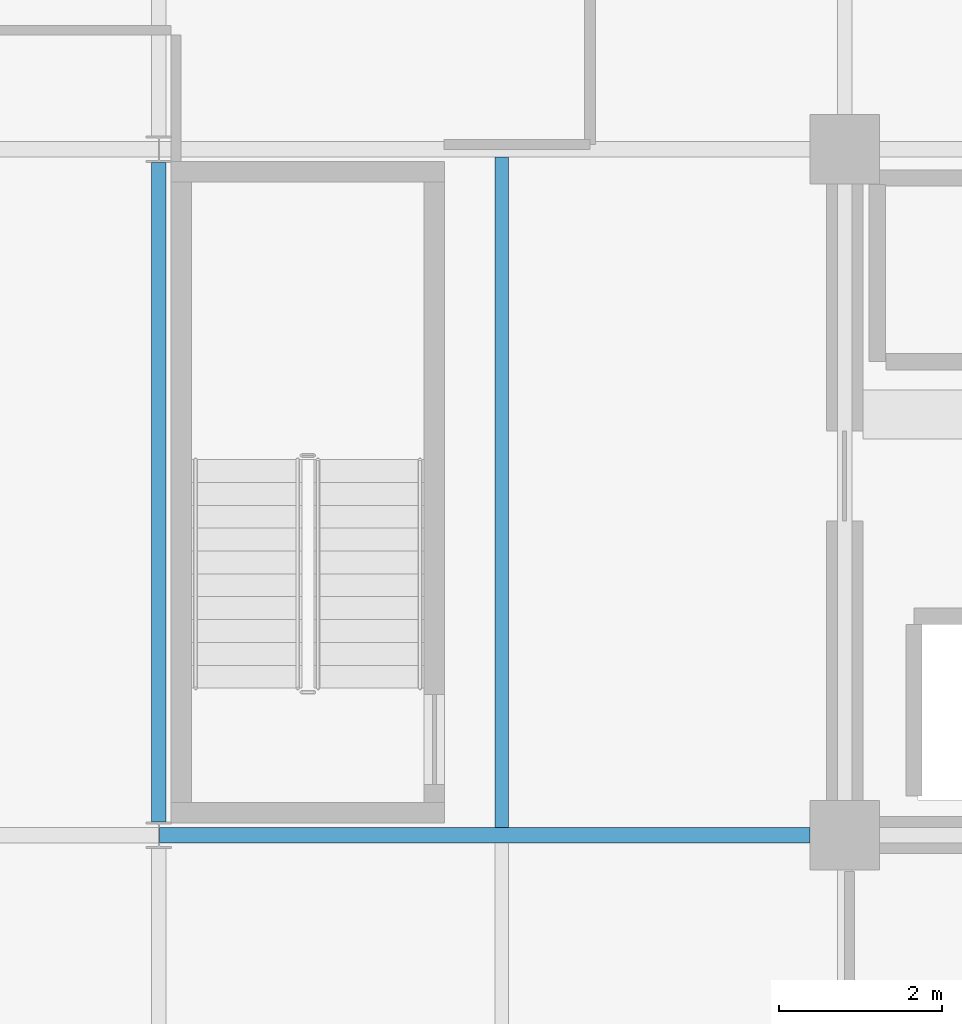
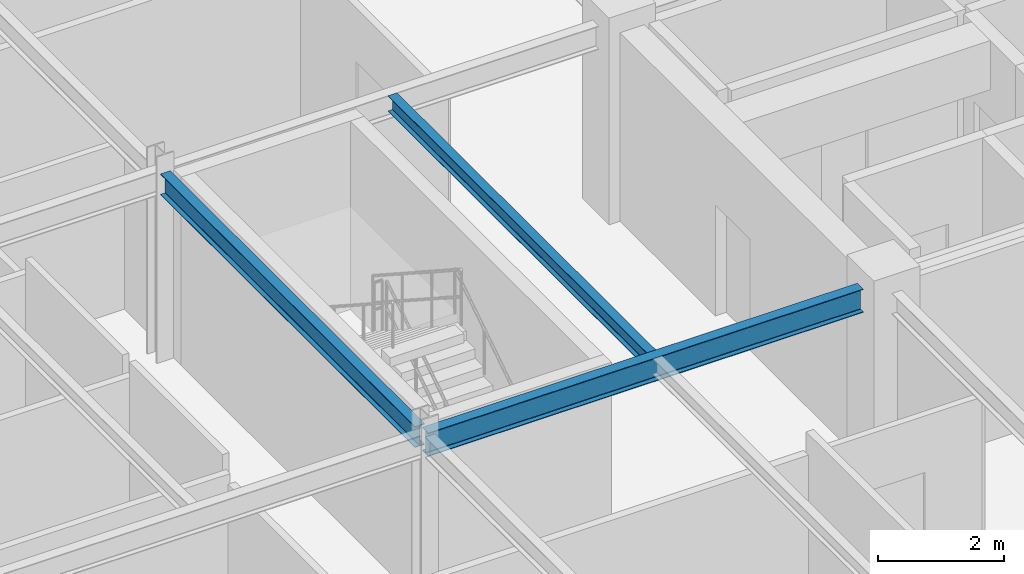
# One storey, part 6 of 25: 3 beams.
"""IFC4 building model written with IfcOpenShell, lengths in metres."""

from ifc_helpers import new_model, si_unit, direction, frame, origin, origin_2d, place, context, subcontext, project, spatial, i_section, extrude, material, material_profile, profile_set, type_object, element, save


model = new_model("IFC4")

# Units and contexts
model_context = context("Model", 3, precision=1e-05, world=origin(), true_north=direction((0.0, 1.0)))
body_context = subcontext(model_context, "Body", "Model", "MODEL_VIEW")
ifc_project = project(units=[si_unit("LENGTHUNIT", "METRE"), si_unit("AREAUNIT", "SQUARE_METRE"), si_unit("VOLUMEUNIT", "CUBIC_METRE"), si_unit("PLANEANGLEUNIT", "RADIAN"), si_unit("MASSUNIT", "GRAM", prefix="KILO")], contexts=[model_context])

# Site, building, storey
site_placement = place(None, origin())
site = spatial("IfcSite", under=ifc_project, at=site_placement, CompositionType="ELEMENT")
building_placement = place(site_placement, origin())
building = spatial("IfcBuilding", under=site, at=building_placement, Name="Nerrivon Quay Data Exchange", CompositionType="ELEMENT")
storey_placement = place(building_placement, frame((0.0, 0.0, 318.199951171875)))
storey = spatial("IfcBuildingStorey", under=building, at=storey_placement, Name="L76", CompositionType="ELEMENT", Elevation=318.199951171875)

# Beams
ifc_material = material(Name="Steel Grade 350", Category="steel")
ifc_material_profile_1 = material_profile(ifc_material, i_section(OverallWidth=0.18994140625, OverallDepth=0.4541015625, WebThickness=0.008544921875, FlangeThickness=0.0126953125, FilletRadius=0.011474609375, at=origin_2d()), Name="460UB67.1")
ifc_profile_set_1 = profile_set([ifc_material_profile_1], Name="Steel Grade 350")
beam_type_1 = type_object("IfcBeamType", Name="BM-G6-460UB67", PredefinedType="BEAM", material=ifc_profile_set_1)
beam_1_placement = place(storey_placement, frame((8.40771484375, 8.39990234375, 3.423095703125), z_axis=(1.0, 0.0, 0.0), x_axis=(0.0, 1.0, 0.0)))
element("IfcBeam", 1, at=beam_1_placement, inside=storey, type_object=beam_type_1, Name="L76 EW Girder Y=8.4 (8.4..16.8)", PredefinedType="BEAM", context=body_context, shape_type="SweptSolid", body=[
    extrude(i_section(OverallWidth=0.18994140625, OverallDepth=0.4541015625, WebThickness=0.008544921875, FlangeThickness=0.0126953125, FilletRadius=0.011474609375, at=origin_2d()), origin(), (0.0, 0.0, 1.0), 7.96728515625),
])
ifc_material_profile_2 = material_profile(ifc_material, i_section(OverallWidth=0.177978515625, OverallDepth=0.406005859375, WebThickness=0.0078125, FlangeThickness=0.0126953125, FilletRadius=0.011474609375, at=origin_2d()), Name="410UB59.7")
ifc_profile_set_2 = profile_set([ifc_material_profile_2], Name="Steel Grade 350")
beam_type_2 = type_object("IfcBeamType", Name="BM-J1-410UB60", PredefinedType="JOIST", material=ifc_profile_set_2)
beam_2_placement = place(storey_placement, frame((8.39990234375, 8.5634765625, 3.447021484375), z_axis=(0.0, 1.0, 0.0), x_axis=(-1.0, 0.0, 0.0)))
element("IfcBeam", 2, at=beam_2_placement, inside=storey, type_object=beam_type_2, Name="L76 NS Girder X=8.4 (8.4..16.8)", PredefinedType="JOIST", context=body_context, shape_type="SweptSolid", body=[
    extrude(i_section(OverallWidth=0.177978515625, OverallDepth=0.406005859375, WebThickness=0.0078125, FlangeThickness=0.0126953125, FilletRadius=0.011474609375, at=origin_2d()), origin(), (0.0, 0.0, 1.0), 8.072998046875),
])
ifc_material_profile_3 = material_profile(ifc_material, i_section(OverallWidth=0.1650390625, OverallDepth=0.303955078125, WebThickness=0.006103515625, FlangeThickness=0.01025390625, FilletRadius=0.011474609375, at=origin_2d()), Name="310UB40.4")
ifc_profile_set_3 = profile_set([ifc_material_profile_3], Name="Steel Grade 350")
beam_type_3 = type_object("IfcBeamType", Name="BM-J6-310UB40", PredefinedType="JOIST", material=ifc_profile_set_3)
beam_3_placement = place(storey_placement, frame((12.60009765625, 8.4951171875, 3.498046875), z_axis=(0.0, 1.0, 0.0), x_axis=(-1.0, 0.0, 0.0)))
element("IfcBeam", 3, at=beam_3_placement, inside=storey, type_object=beam_type_3, Name="L76 Secondary Joist X=12.6 (8.4..16.8)", PredefinedType="JOIST", context=body_context, shape_type="SweptSolid", body=[
    extrude(i_section(OverallWidth=0.1650390625, OverallDepth=0.303955078125, WebThickness=0.006103515625, FlangeThickness=0.01025390625, FilletRadius=0.011474609375, at=origin_2d()), origin(), (0.0, 0.0, 1.0), 8.2099609375),
])

save(model, "model.ifc")
